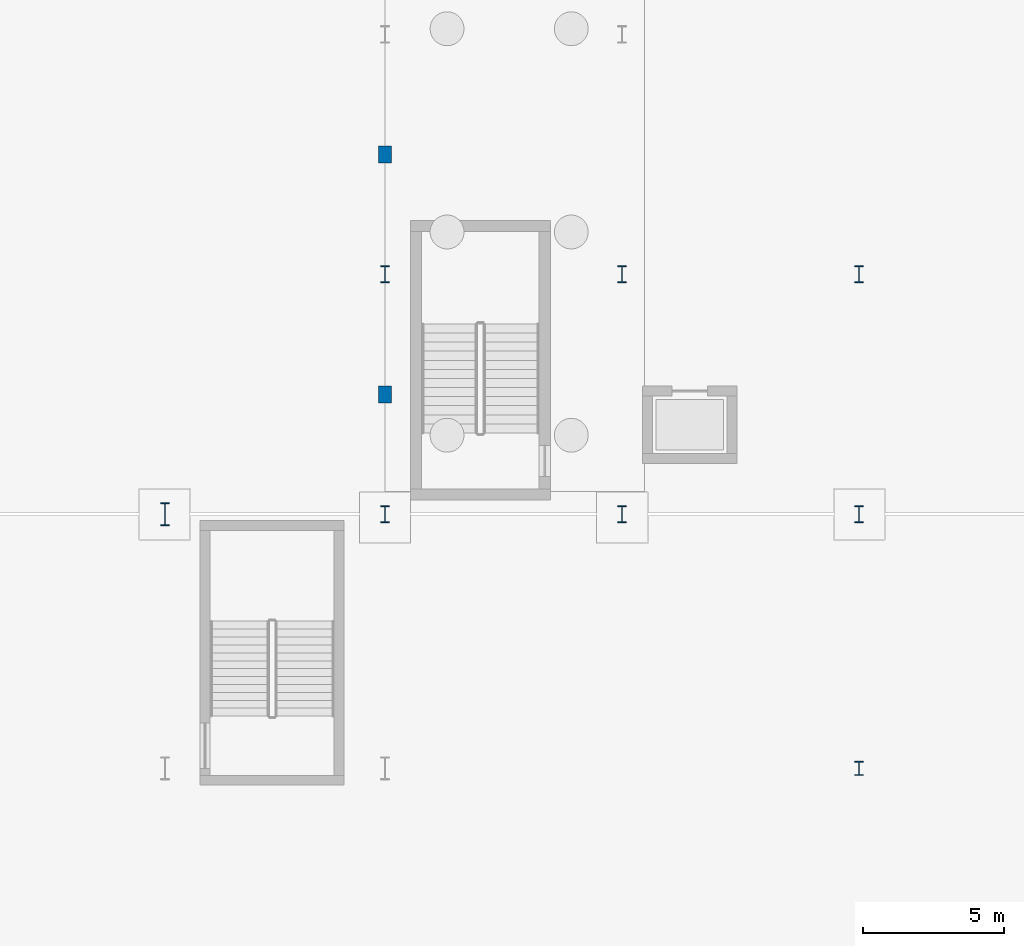
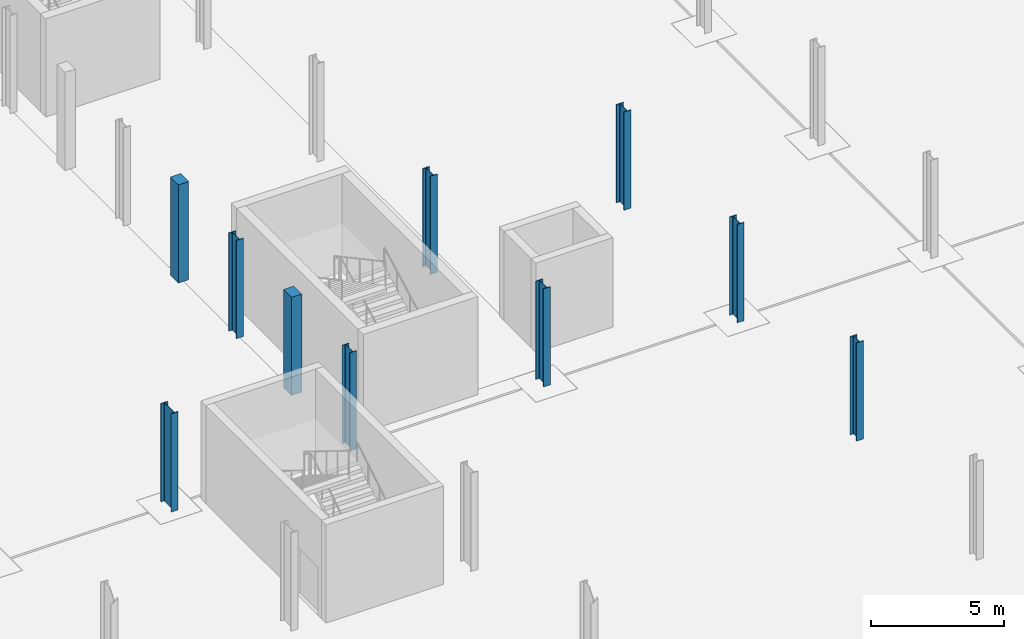
# One storey, part 10 of 45: 10 columns.
"""IFC4 building model written with IfcOpenShell, lengths in metres."""

from ifc_helpers import new_model, si_unit, direction, frame, origin, origin_2d, place, context, subcontext, project, spatial, rectangle, i_section, extrude, material, material_profile, profile_set, type_object, element, save


model = new_model("IFC4")

# Units and contexts
model_context = context("Model", 3, precision=1e-05, world=origin(), true_north=direction((0.0, 1.0)))
body_context = subcontext(model_context, "Body", "Model", "MODEL_VIEW")
ifc_project = project(units=[si_unit("LENGTHUNIT", "METRE"), si_unit("AREAUNIT", "SQUARE_METRE"), si_unit("VOLUMEUNIT", "CUBIC_METRE"), si_unit("PLANEANGLEUNIT", "RADIAN"), si_unit("MASSUNIT", "GRAM", prefix="KILO")], contexts=[model_context])

# Site, building, storey
site_placement = place(None, origin())
site = spatial("IfcSite", under=ifc_project, at=site_placement, CompositionType="ELEMENT")
building_placement = place(site_placement, origin())
building = spatial("IfcBuilding", under=site, at=building_placement, Name="Sefraquen Railside Congress Hotel", CompositionType="ELEMENT")
storey_placement = place(building_placement, frame((0.0, 0.0, -4.5)))
storey = spatial("IfcBuildingStorey", under=building, at=storey_placement, Name="B01", CompositionType="ELEMENT", Elevation=-4.5)

# Columns
ifc_material_1 = material(Name="Steel S355JR", Category="steel")
ifc_material_profile_1 = material_profile(ifc_material_1, i_section(OverallWidth=0.300048828125, OverallDepth=0.5, WebThickness=0.014404296875, FlangeThickness=0.028076171875, FilletRadius=0.027099609375, at=origin_2d()), Name="HEB 500")
ifc_profile_set_1 = profile_set([ifc_material_profile_1], Name="Steel S355JR")
column_type_1 = type_object("IfcColumnType", Name="TC-HEB-500", PredefinedType="COLUMN", material=ifc_profile_set_1)
column_1_placement = place(storey_placement, frame((120.0, 45.0, 0.0), z_axis=(0.0, 0.0, 1.0), x_axis=(1.0, 0.0, 0.0)))
element("IfcColumn", 1, at=column_1_placement, inside=storey, type_object=column_type_1, Name="Structural column 16-F B01", PredefinedType="COLUMN", context=body_context, shape_type="SweptSolid", body=[
    extrude(i_section(OverallWidth=0.300048828125, OverallDepth=0.5, WebThickness=0.014404296875, FlangeThickness=0.028076171875, FilletRadius=0.027099609375, at=origin_2d()), origin(), (0.0, 0.0, 1.0), 4.5),
])
ifc_material_profile_2 = material_profile(ifc_material_1, i_section(OverallWidth=0.300048828125, OverallDepth=0.60009765625, WebThickness=0.015380859375, FlangeThickness=0.030029296875, FilletRadius=0.027099609375, at=origin_2d()), Name="HEB 600")
ifc_profile_set_2 = profile_set([ifc_material_profile_2], Name="Steel S355JR")
column_type_2 = type_object("IfcColumnType", Name="TC-HEB-600", PredefinedType="COLUMN", material=ifc_profile_set_2)
for number, where, z_axis, x_axis, name in (
    (2, (103.199951171875, 54.0, 0.0), (0.0, 0.0, 1.0), (1.0, 0.0, 0.0), "Structural column 14-G B01"),
    (3, (103.199951171875, 62.5, 0.0), (0.0, 0.0, 1.0), (1.0, 0.0, 0.0), "Structural column 14-H B01"),
    (4, (111.60009765625, 54.0, 0.0), (0.0, 0.0, 1.0), (1.0, 0.0, 0.0), "Structural column 15-G B01"),
    (5, (111.60009765625, 62.5, 0.0), (0.0, 0.0, 1.0), (1.0, 0.0, 0.0), "Structural column 15-H B01"),
    (6, (120.0, 54.0, 0.0), (0.0, 0.0, 1.0), (1.0, 0.0, 0.0), "Structural column 16-G B01"),
    (7, (120.0, 62.5, 0.0), (0.0, 0.0, 1.0), (1.0, 0.0, 0.0), "Structural column 16-H B01"),
):
    element("IfcColumn", number, at=place(storey_placement, frame(where, z_axis=z_axis, x_axis=x_axis)), inside=storey, type_object=column_type_2, Name=name, PredefinedType="COLUMN", context=body_context, shape_type="SweptSolid", body=[
        extrude(i_section(OverallWidth=0.300048828125, OverallDepth=0.60009765625, WebThickness=0.015380859375, FlangeThickness=0.030029296875, FilletRadius=0.027099609375, at=origin_2d()), origin(), (0.0, 0.0, 1.0), 4.5),
    ])
ifc_material_profile_3 = material_profile(ifc_material_1, i_section(OverallWidth=0.300048828125, OverallDepth=0.800048828125, WebThickness=0.017578125, FlangeThickness=0.032958984375, FilletRadius=0.030029296875, at=origin_2d()), Name="HEB 800")
ifc_profile_set_3 = profile_set([ifc_material_profile_3], Name="Steel S355JR")
column_type_3 = type_object("IfcColumnType", Name="TC-HEB-800", PredefinedType="COLUMN", material=ifc_profile_set_3)
column_2_placement = place(storey_placement, frame((95.39990234375, 54.0, 0.0), z_axis=(0.0, 0.0, 1.0), x_axis=(1.0, 0.0, 0.0)))
element("IfcColumn", 8, at=column_2_placement, inside=storey, type_object=column_type_3, Name="Structural column 13-G B01", PredefinedType="COLUMN", context=body_context, shape_type="SweptSolid", body=[
    extrude(i_section(OverallWidth=0.300048828125, OverallDepth=0.800048828125, WebThickness=0.017578125, FlangeThickness=0.032958984375, FilletRadius=0.030029296875, at=origin_2d()), origin(), (0.0, 0.0, 1.0), 4.5),
])
ifc_material_2 = material(Name="Concrete C50/60", Category="concrete")
ifc_material_profile_4 = material_profile(ifc_material_2, rectangle(XDim=0.449951171875, YDim=0.60009765625, at=origin_2d()), Name="RC 600x450")
ifc_profile_set_4 = profile_set([ifc_material_profile_4], Name="Concrete C50/60")
column_type_4 = type_object("IfcColumnType", Name="TC-PIL-600", PredefinedType="PILASTER", material=ifc_profile_set_4)
for number, where, z_axis, x_axis, name in (
    (9, (103.199951171875, 58.25, 0.0), (0.0, 0.0, 1.0), (1.0, 0.0, 0.0), "Courtyard limestone pilaster CPIL-E1 B01"),
    (10, (103.199951171875, 66.75, 0.0), (0.0, 0.0, 1.0), (1.0, 0.0, 0.0), "Courtyard limestone pilaster CPIL-E2 B01"),
):
    element("IfcColumn", number, at=place(storey_placement, frame(where, z_axis=z_axis, x_axis=x_axis)), inside=storey, type_object=column_type_4, Name=name, PredefinedType="PILASTER", context=body_context, shape_type="SweptSolid", body=[
        extrude(rectangle(XDim=0.449951171875, YDim=0.60009765625, at=origin_2d()), origin(), (0.0, 0.0, 1.0), 4.5),
    ])

save(model, "model.ifc")
